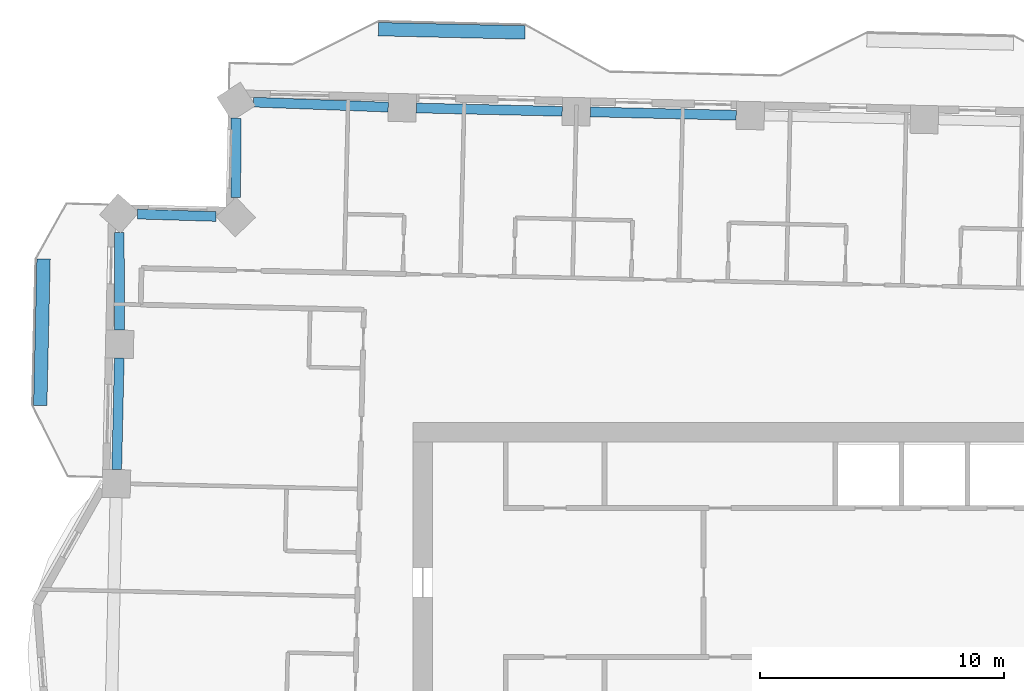
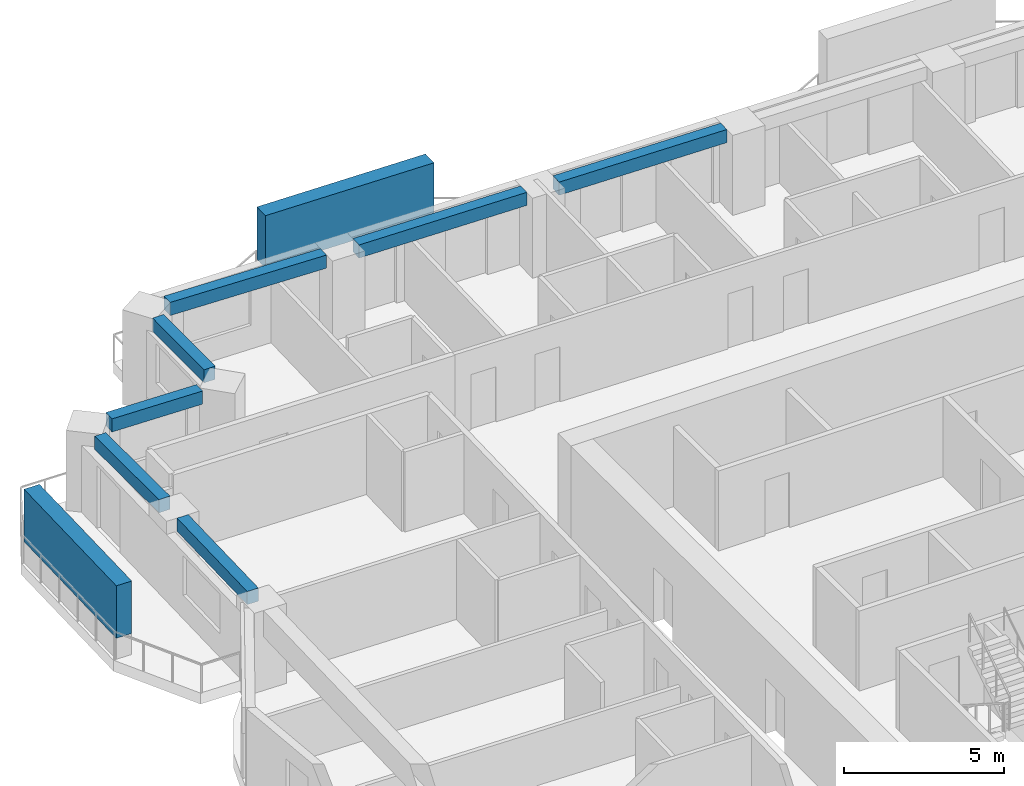
# One storey, part 3 of 16: 7 beams, 2 members.
"""IFC4 building model written with IfcOpenShell, lengths in metres."""

from ifc_helpers import new_model, si_unit, direction, frame, origin, origin_2d, place, context, subcontext, project, spatial, rectangle, extrude, material, material_profile, profile_set, type_object, element, save


model = new_model("IFC4")

# Units and contexts
model_context = context("Model", 3, precision=1e-05, world=origin(), true_north=direction((0.0, 1.0)))
body_context = subcontext(model_context, "Body", "Model", "MODEL_VIEW")
ifc_project = project(units=[si_unit("LENGTHUNIT", "METRE"), si_unit("AREAUNIT", "SQUARE_METRE"), si_unit("VOLUMEUNIT", "CUBIC_METRE"), si_unit("PLANEANGLEUNIT", "RADIAN"), si_unit("MASSUNIT", "GRAM", prefix="KILO")], contexts=[model_context])

# Site, building, storey
site_placement = place(None, origin())
site = spatial("IfcSite", under=ifc_project, at=site_placement, CompositionType="ELEMENT")
building_placement = place(site_placement, origin())
building = spatial("IfcBuilding", under=site, at=building_placement, Name="Mangrove Gate Tower", CompositionType="ELEMENT")
storey_placement = place(building_placement, frame((0.0, 0.0, 201.5)))
storey = spatial("IfcBuildingStorey", under=building, at=storey_placement, Name="L51", CompositionType="ELEMENT", Elevation=201.5)

# Members
ifc_material_1 = material(Name="Planting on aluminium trellis", Category="aluminium")
ifc_material_profile_1 = material_profile(ifc_material_1, rectangle(XDim=0.550048828125, YDim=2.0, at=origin_2d()))
ifc_profile_set_1 = profile_set([ifc_material_profile_1], Name="Planting on aluminium trellis")
member_type = type_object("IfcMemberType", Name="Balcony greenery screen 550x2000", PredefinedType="USERDEFINED", material=ifc_profile_set_1)
for number, where, z_axis, x_axis, name in (
    (1, (-16.011962890625, 27.698974609375, 1.800048828125), (0.999743094499, -0.022665943652, 0.0), (0.022665943652, 0.999743094499, 0.0), "GREEN SCREEN L51 N1.1"),
    (2, (-29.85302734375, 12.2939453125, 1.800048828125), (0.022665943652, 0.999743094499, 0.0), (-0.999743094499, 0.022665943652, 0.0), "GREEN SCREEN L51 W0.1"),
):
    element("IfcMember", number, at=place(storey_placement, frame(where, z_axis=z_axis, x_axis=x_axis)), inside=storey, type_object=member_type, Name=name, ObjectType="PLANTING", PredefinedType="USERDEFINED", context=body_context, shape_type="SweptSolid", body=[
        extrude(rectangle(XDim=0.550048828125, YDim=2.0, at=origin_2d()), origin(), (0.0, 0.0, 1.0), 5.99951171875),
    ])

# Beams
ifc_material_2 = material(Name="Concrete C50/60", Category="concrete")
ifc_material_profile_2 = material_profile(ifc_material_2, rectangle(XDim=0.39990234375, YDim=0.5, at=origin_2d()))
ifc_profile_set_2 = profile_set([ifc_material_profile_2], Name="Concrete C50/60")
beam_type = type_object("IfcBeamType", Name="Edge beam RC 400x500 C50/60", PredefinedType="BEAM", material=ifc_profile_set_2)
for number, where, z_axis, x_axis, name in (
    (3, (-1.36376953125, 24.17529296875, 2.800048828125), (-0.999741814446, 0.022722333681, 0.0), (-0.022722333681, -0.999741814446, 0.0), "Edge beam L51 22"),
    (4, (-8.48583984375, 24.337158203125, 2.800048828125), (-0.99974459204, 0.02259979395, 0.0), (-0.02259979395, -0.99974459204, 0.0), "Edge beam L51 23"),
):
    element("IfcBeam", number, at=place(storey_placement, frame(where, z_axis=z_axis, x_axis=x_axis)), inside=storey, type_object=beam_type, Name=name, PredefinedType="BEAM", context=body_context, shape_type="SweptSolid", body=[
        extrude(rectangle(XDim=0.39990234375, YDim=0.5, at=origin_2d()), origin(), (0.0, 0.0, 1.0), 5.973876953125),
    ])
beam_1_placement = place(storey_placement, frame((-15.607666015625, 24.506591796875, 2.800048828125), z_axis=(-0.999309985278, 0.037142338694, 0.0), x_axis=(-0.037142338694, -0.999309985278, 0.0)))
element("IfcBeam", 5, at=beam_1_placement, inside=storey, type_object=beam_type, Name="Edge beam L51 24", PredefinedType="BEAM", context=body_context, shape_type="SweptSolid", body=[
    extrude(rectangle(XDim=0.39990234375, YDim=0.5, at=origin_2d()), origin(), (0.0, 0.0, 1.0), 5.528076171875),
])
beam_2_placement = place(storey_placement, frame((-21.834716796875, 24.052734375, 2.800048828125), z_axis=(-0.004737501355, -0.999988777977, 0.0), x_axis=(0.999988777977, -0.004737501355, 0.0)))
element("IfcBeam", 6, at=beam_2_placement, inside=storey, type_object=beam_type, Name="Edge beam L51 25", PredefinedType="BEAM", context=body_context, shape_type="SweptSolid", body=[
    extrude(rectangle(XDim=0.39990234375, YDim=0.5, at=origin_2d()), origin(), (0.0, 0.0, 1.0), 3.24658203125),
])
beam_3_placement = place(storey_placement, frame((-22.660400390625, 20.03173828125, 2.800048828125), z_axis=(-0.999538107107, 0.030390334664, 0.0), x_axis=(-0.030390334664, -0.999538107107, 0.0)))
element("IfcBeam", 7, at=beam_3_placement, inside=storey, type_object=beam_type, Name="Edge beam L51 26", PredefinedType="BEAM", context=body_context, shape_type="SweptSolid", body=[
    extrude(rectangle(XDim=0.39990234375, YDim=0.5, at=origin_2d()), origin(), (0.0, 0.0, 1.0), 3.21337890625),
])
beam_4_placement = place(storey_placement, frame((-26.616455078125, 19.384521484375, 2.800048828125), z_axis=(0.002501517494, -0.9999968712, 0.0), x_axis=(0.9999968712, 0.002501517494, 0.0)))
element("IfcBeam", 8, at=beam_4_placement, inside=storey, type_object=beam_type, Name="Edge beam L51 27", PredefinedType="BEAM", context=body_context, shape_type="SweptSolid", body=[
    extrude(rectangle(XDim=0.39990234375, YDim=0.5, at=origin_2d()), origin(), (0.0, 0.0, 1.0), 4.00146484375),
])
beam_5_placement = place(storey_placement, frame((-26.6181640625, 14.233154296875, 2.800048828125), z_axis=(-0.022586452437, -0.999744893543, 0.0), x_axis=(0.999744893543, -0.022586452437, 0.0)))
element("IfcBeam", 9, at=beam_5_placement, inside=storey, type_object=beam_type, Name="Edge beam L51 28", PredefinedType="BEAM", context=body_context, shape_type="SweptSolid", body=[
    extrude(rectangle(XDim=0.39990234375, YDim=0.5, at=origin_2d()), origin(), (0.0, 0.0, 1.0), 4.5615234375),
])

save(model, "model.ifc")
